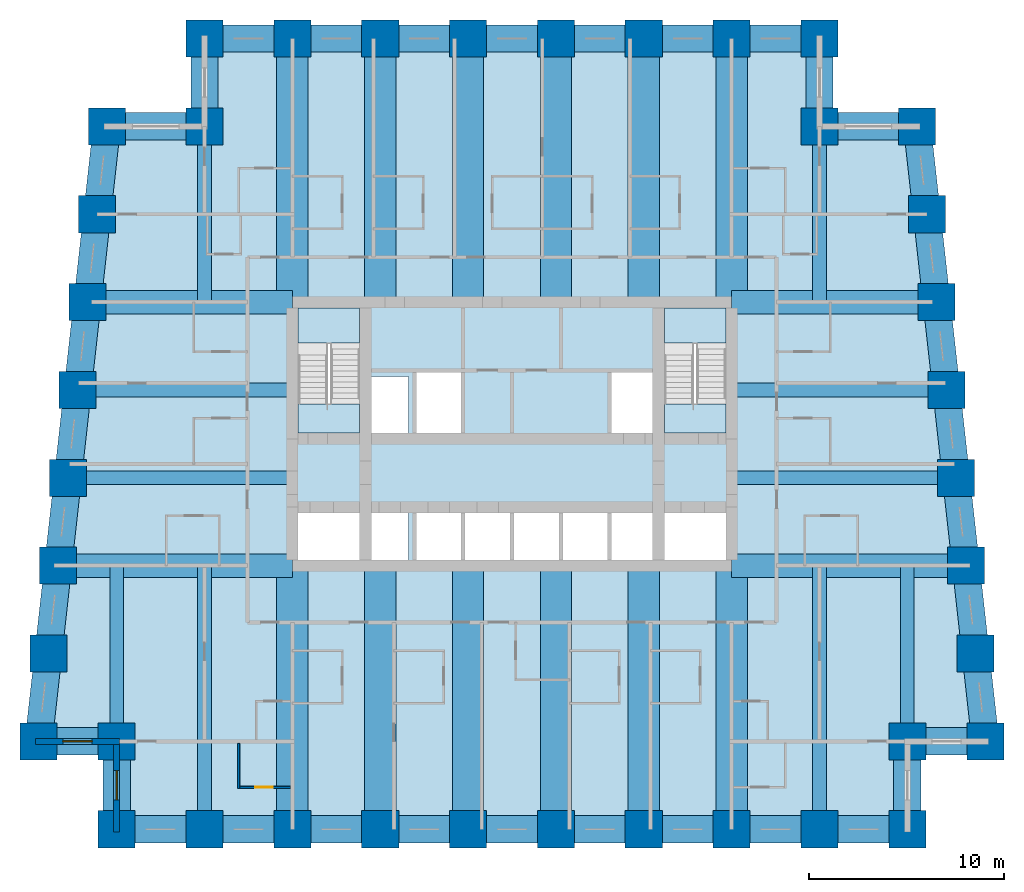
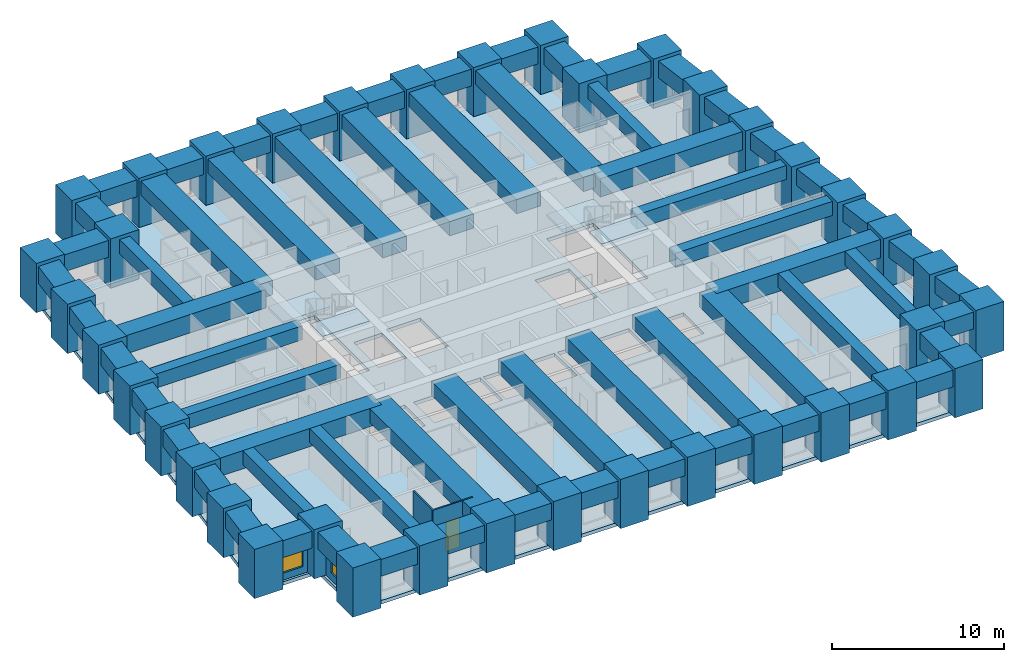
# One storey, part 1 of 8: 64 beams, 38 columns, 5 slabs, 4 walls, 2 windows, 1 door, 3 openings, 2 elements without a shape of their own.
"""IFC4 building model written with IfcOpenShell, lengths in metres."""

from ifc_helpers import new_model, si_unit, direction, frame, frame_2d, origin, origin_2d, place, context, subcontext, project, spatial, polyline, rectangle, outline, extrude, material, layer, layer_set, material_profile, profile_set, type_object, element, fill, aggregate, save


model = new_model("IFC4")

# Units and contexts
model_context = context("Model", 3, precision=1e-05, world=origin(), true_north=direction((0.0, 1.0)))
body_context = subcontext(model_context, "Body", "Model", "MODEL_VIEW")
ifc_project = project(units=[si_unit("LENGTHUNIT", "METRE"), si_unit("AREAUNIT", "SQUARE_METRE"), si_unit("VOLUMEUNIT", "CUBIC_METRE"), si_unit("PLANEANGLEUNIT", "RADIAN"), si_unit("MASSUNIT", "GRAM", prefix="KILO")], contexts=[model_context])

# Site, building, storey
site_placement = place(None, origin())
site = spatial("IfcSite", under=ifc_project, at=site_placement, CompositionType="ELEMENT")
building_placement = place(site_placement, origin())
building = spatial("IfcBuilding", under=site, at=building_placement, Name="Kilele Tower Hotel", CompositionType="ELEMENT")
storey_placement = place(building_placement, frame((0.0, 0.0, 40.199951171875)))
storey = spatial("IfcBuildingStorey", under=building, at=storey_placement, Name="L08", CompositionType="ELEMENT", Elevation=40.199951171875)

# Columns
ifc_material_1 = material(Name="Concrete C80/95", Category="concrete")
ifc_material_profile_1 = material_profile(ifc_material_1, rectangle(XDim=1.89990234375, YDim=1.89990234375, at=origin_2d()))
ifc_profile_set_1 = profile_set([ifc_material_profile_1], Name="Concrete C80/95")
column_type = type_object("IfcColumnType", Name="Tube column RC 1900x1900 C80/95", PredefinedType="COLUMN", material=ifc_profile_set_1)
for number, where, z_axis, x_axis, name in (
    (1, (0.5, 4.5, 0.0), (0.0, 0.0, 1.0), (1.0, 0.0, 0.0), "Column TC1 L08"),
    (2, (4.5, 4.5, 0.0), (0.0, 0.0, 1.0), (1.0, 0.0, 0.0), "Column TC1 L08"),
    (3, (4.5, 0.0, 0.0), (0.0, 0.0, 1.0), (1.0, 0.0, 0.0), "Column TC1 L08"),
    (4, (9.0, 0.0, 0.0), (0.0, 0.0, 1.0), (1.0, 0.0, 0.0), "Column TC1 L08"),
    (5, (13.5, 0.0, 0.0), (0.0, 0.0, 1.0), (1.0, 0.0, 0.0), "Column TC1 L08"),
    (6, (18.0, 0.0, 0.0), (0.0, 0.0, 1.0), (1.0, 0.0, 0.0), "Column TC1 L08"),
    (7, (22.5, 0.0, 0.0), (0.0, 0.0, 1.0), (1.0, 0.0, 0.0), "Column TC1 L08"),
    (8, (27.0, 0.0, 0.0), (0.0, 0.0, 1.0), (1.0, 0.0, 0.0), "Column TC1 L08"),
    (9, (31.5, 0.0, 0.0), (0.0, 0.0, 1.0), (1.0, 0.0, 0.0), "Column TC1 L08"),
    (10, (36.0, 0.0, 0.0), (0.0, 0.0, 1.0), (1.0, 0.0, 0.0), "Column TC1 L08"),
    (11, (40.5, 0.0, 0.0), (0.0, 0.0, 1.0), (1.0, 0.0, 0.0), "Column TC1 L08"),
    (12, (45.0, 0.0, 0.0), (0.0, 0.0, 1.0), (1.0, 0.0, 0.0), "Column TC1 L08"),
    (13, (45.0, 4.5, 0.0), (0.0, 0.0, 1.0), (1.0, 0.0, 0.0), "Column TC1 L08"),
    (14, (49.0, 4.5, 0.0), (0.0, 0.0, 1.0), (1.0, 0.0, 0.0), "Column TC1 L08"),
    (15, (48.5, 9.0, 0.0), (0.0, 0.0, 1.0), (1.0, 0.0, 0.0), "Column TC1 L08"),
    (16, (48.0, 13.5, 0.0), (0.0, 0.0, 1.0), (1.0, 0.0, 0.0), "Column TC1 L08"),
    (17, (47.5, 18.0, 0.0), (0.0, 0.0, 1.0), (1.0, 0.0, 0.0), "Column TC1 L08"),
    (18, (47.0, 22.5, 0.0), (0.0, 0.0, 1.0), (1.0, 0.0, 0.0), "Column TC1 L08"),
    (19, (46.5, 27.0, 0.0), (0.0, 0.0, 1.0), (1.0, 0.0, 0.0), "Column TC1 L08"),
    (20, (46.0, 31.5, 0.0), (0.0, 0.0, 1.0), (1.0, 0.0, 0.0), "Column TC1 L08"),
    (21, (45.5, 36.0, 0.0), (0.0, 0.0, 1.0), (1.0, 0.0, 0.0), "Column TC1 L08"),
    (22, (40.5, 36.0, 0.0), (0.0, 0.0, 1.0), (1.0, 0.0, 0.0), "Column TC1 L08"),
    (23, (40.5, 40.5, 0.0), (0.0, 0.0, 1.0), (1.0, 0.0, 0.0), "Column TC1 L08"),
    (24, (36.0, 40.5, 0.0), (0.0, 0.0, 1.0), (1.0, 0.0, 0.0), "Column TC1 L08"),
    (25, (31.5, 40.5, 0.0), (0.0, 0.0, 1.0), (1.0, 0.0, 0.0), "Column TC1 L08"),
    (26, (27.0, 40.5, 0.0), (0.0, 0.0, 1.0), (1.0, 0.0, 0.0), "Column TC1 L08"),
    (27, (22.5, 40.5, 0.0), (0.0, 0.0, 1.0), (1.0, 0.0, 0.0), "Column TC1 L08"),
    (28, (18.0, 40.5, 0.0), (0.0, 0.0, 1.0), (1.0, 0.0, 0.0), "Column TC1 L08"),
    (29, (13.5, 40.5, 0.0), (0.0, 0.0, 1.0), (1.0, 0.0, 0.0), "Column TC1 L08"),
    (30, (9.0, 40.5, 0.0), (0.0, 0.0, 1.0), (1.0, 0.0, 0.0), "Column TC1 L08"),
    (31, (9.0, 36.0, 0.0), (0.0, 0.0, 1.0), (1.0, 0.0, 0.0), "Column TC1 L08"),
    (32, (4.0, 36.0, 0.0), (0.0, 0.0, 1.0), (1.0, 0.0, 0.0), "Column TC1 L08"),
    (33, (3.5, 31.5, 0.0), (0.0, 0.0, 1.0), (1.0, 0.0, 0.0), "Column TC1 L08"),
    (34, (3.0, 27.0, 0.0), (0.0, 0.0, 1.0), (1.0, 0.0, 0.0), "Column TC1 L08"),
    (35, (2.5, 22.5, 0.0), (0.0, 0.0, 1.0), (1.0, 0.0, 0.0), "Column TC1 L08"),
    (36, (2.0, 18.0, 0.0), (0.0, 0.0, 1.0), (1.0, 0.0, 0.0), "Column TC1 L08"),
    (37, (1.5, 13.5, 0.0), (0.0, 0.0, 1.0), (1.0, 0.0, 0.0), "Column TC1 L08"),
    (38, (1.0, 9.0, 0.0), (0.0, 0.0, 1.0), (1.0, 0.0, 0.0), "Column TC1 L08"),
):
    element("IfcColumn", number, at=place(storey_placement, frame(where, z_axis=z_axis, x_axis=x_axis)), inside=storey, type_object=column_type, Name=name, PredefinedType="COLUMN", context=body_context, shape_type="SweptSolid", body=[
        extrude(rectangle(XDim=1.89990234375, YDim=1.89990234375, at=origin_2d()), origin(), (0.0, 0.0, 1.0), 3.5),
    ])

# Beams
ifc_material_2 = material(Name="Concrete C60/75", Category="concrete")
ifc_material_profile_2 = material_profile(ifc_material_2, rectangle(XDim=1.60009765625, YDim=1.0, at=origin_2d()))
ifc_profile_set_2 = profile_set([ifc_material_profile_2], Name="Concrete C60/75")
beam_type_1 = type_object("IfcBeamType", Name="Beam RC 1600x1000 C60/75", PredefinedType="BEAM", material=ifc_profile_set_2)
for number, where, z_axis, x_axis, name in (
    (39, (13.5, 0.0, 2.75), (0.0, 1.0, 0.0), (-1.0, 0.0, 0.0), "Beam BC1 level L09"),
    (40, (18.0, 0.0, 2.75), (0.0, 1.0, 0.0), (-1.0, 0.0, 0.0), "Beam BC1 level L09"),
    (41, (22.5, 0.0, 2.75), (0.0, 1.0, 0.0), (-1.0, 0.0, 0.0), "Beam BC1 level L09"),
    (42, (27.0, 0.0, 2.75), (0.0, 1.0, 0.0), (-1.0, 0.0, 0.0), "Beam BC1 level L09"),
    (43, (31.5, 0.0, 2.75), (0.0, 1.0, 0.0), (-1.0, 0.0, 0.0), "Beam BC1 level L09"),
    (44, (36.0, 0.0, 2.75), (0.0, 1.0, 0.0), (-1.0, 0.0, 0.0), "Beam BC1 level L09"),
    (45, (36.0, 40.5, 2.75), (0.0, -1.0, 0.0), (1.0, 0.0, 0.0), "Beam BC1 level L09"),
    (46, (31.5, 40.5, 2.75), (0.0, -1.0, 0.0), (1.0, 0.0, 0.0), "Beam BC1 level L09"),
    (47, (27.0, 40.5, 2.75), (0.0, -1.0, 0.0), (1.0, 0.0, 0.0), "Beam BC1 level L09"),
    (48, (22.5, 40.5, 2.75), (0.0, -1.0, 0.0), (1.0, 0.0, 0.0), "Beam BC1 level L09"),
    (49, (18.0, 40.5, 2.75), (0.0, -1.0, 0.0), (1.0, 0.0, 0.0), "Beam BC1 level L09"),
    (50, (13.5, 40.5, 2.75), (0.0, -1.0, 0.0), (1.0, 0.0, 0.0), "Beam BC1 level L09"),
):
    element("IfcBeam", number, at=place(storey_placement, frame(where, z_axis=z_axis, x_axis=x_axis)), inside=storey, type_object=beam_type_1, Name=name, PredefinedType="BEAM", context=body_context, shape_type="SweptSolid", body=[
        extrude(rectangle(XDim=1.60009765625, YDim=1.0, at=origin_2d()), origin(), (0.0, 0.0, 1.0), 13.5),
    ])
ifc_material_3 = material(Name="Concrete C60/75", Category="concrete")
ifc_material_profile_3 = material_profile(ifc_material_3, rectangle(XDim=0.699951171875, YDim=1.0, at=origin_2d()))
ifc_profile_set_3 = profile_set([ifc_material_profile_3], Name="Concrete C60/75")
beam_type_2 = type_object("IfcBeamType", Name="Beam RC 700x1000 C60/75", PredefinedType="BEAM", material=ifc_profile_set_3)
for number, where, z_axis, x_axis, name in (
    (51, (9.0, 0.0, 2.75), (0.0, 1.0, 0.0), (-1.0, 0.0, 0.0), "Beam B4 level L09"),
    (52, (40.5, 0.0, 2.75), (0.0, 1.0, 0.0), (-1.0, 0.0, 0.0), "Beam B4 level L09"),
):
    element("IfcBeam", number, at=place(storey_placement, frame(where, z_axis=z_axis, x_axis=x_axis)), inside=storey, type_object=beam_type_2, Name=name, PredefinedType="BEAM", context=body_context, shape_type="SweptSolid", body=[
        extrude(rectangle(XDim=0.699951171875, YDim=1.0, at=origin_2d()), origin(), (0.0, 0.0, 1.0), 13.5),
    ])
ifc_material_4 = material(Name="Concrete C60/75", Category="concrete")
ifc_material_profile_4 = material_profile(ifc_material_4, rectangle(XDim=0.699951171875, YDim=1.0, at=origin_2d()))
ifc_profile_set_4 = profile_set([ifc_material_profile_4], Name="Concrete C60/75")
beam_type_3 = type_object("IfcBeamType", Name="Beam RC 700x1000 C60/75 mid span", PredefinedType="BEAM", material=ifc_profile_set_4)
for number, where, z_axis, x_axis, name in (
    (53, (4.5, 4.5, 2.75), (0.0, 1.0, 0.0), (-1.0, 0.0, 0.0), "Beam B5 level L09"),
    (54, (45.0, 4.5, 2.75), (0.0, 1.0, 0.0), (-1.0, 0.0, 0.0), "Beam B5 level L09"),
):
    element("IfcBeam", number, at=place(storey_placement, frame(where, z_axis=z_axis, x_axis=x_axis)), inside=storey, type_object=beam_type_3, Name=name, PredefinedType="BEAM", context=body_context, shape_type="SweptSolid", body=[
        extrude(rectangle(XDim=0.699951171875, YDim=1.0, at=origin_2d()), origin(), (0.0, 0.0, 1.0), 9.0),
    ])
beam_1_placement = place(storey_placement, frame((47.5, 18.0, 2.75), z_axis=(-1.0, 0.0, 0.0), x_axis=(0.0, -1.0, 0.0)))
element("IfcBeam", 55, at=beam_1_placement, inside=storey, type_object=beam_type_3, Name="Beam B5 level L09", PredefinedType="BEAM", context=body_context, shape_type="SweptSolid", body=[
    extrude(rectangle(XDim=0.699951171875, YDim=1.0, at=origin_2d()), origin(), (0.0, 0.0, 1.0), 11.5),
])
beam_2_placement = place(storey_placement, frame((47.0, 22.5, 2.75), z_axis=(-1.0, 0.0, 0.0), x_axis=(0.0, -1.0, 0.0)))
element("IfcBeam", 56, at=beam_2_placement, inside=storey, type_object=beam_type_3, Name="Beam B5 level L09", PredefinedType="BEAM", context=body_context, shape_type="SweptSolid", body=[
    extrude(rectangle(XDim=0.699951171875, YDim=1.0, at=origin_2d()), origin(), (0.0, 0.0, 1.0), 11.0),
])
for number, where, z_axis, x_axis, name in (
    (57, (40.5, 36.0, 2.75), (0.0, -1.0, 0.0), (1.0, 0.0, 0.0), "Beam B5 level L09"),
    (58, (9.0, 36.0, 2.75), (0.0, -1.0, 0.0), (1.0, 0.0, 0.0), "Beam B5 level L09"),
):
    element("IfcBeam", number, at=place(storey_placement, frame(where, z_axis=z_axis, x_axis=x_axis)), inside=storey, type_object=beam_type_3, Name=name, PredefinedType="BEAM", context=body_context, shape_type="SweptSolid", body=[
        extrude(rectangle(XDim=0.699951171875, YDim=1.0, at=origin_2d()), origin(), (0.0, 0.0, 1.0), 9.0),
    ])
beam_3_placement = place(storey_placement, frame((2.5, 22.5, 2.75), z_axis=(1.0, 0.0, 0.0), x_axis=(0.0, 1.0, 0.0)))
element("IfcBeam", 59, at=beam_3_placement, inside=storey, type_object=beam_type_3, Name="Beam B5 level L09", PredefinedType="BEAM", context=body_context, shape_type="SweptSolid", body=[
    extrude(rectangle(XDim=0.699951171875, YDim=1.0, at=origin_2d()), origin(), (0.0, 0.0, 1.0), 11.0),
])
beam_4_placement = place(storey_placement, frame((2.0, 18.0, 2.75), z_axis=(1.0, 0.0, 0.0), x_axis=(0.0, 1.0, 0.0)))
element("IfcBeam", 60, at=beam_4_placement, inside=storey, type_object=beam_type_3, Name="Beam B5 level L09", PredefinedType="BEAM", context=body_context, shape_type="SweptSolid", body=[
    extrude(rectangle(XDim=0.699951171875, YDim=1.0, at=origin_2d()), origin(), (0.0, 0.0, 1.0), 11.5),
])
ifc_material_5 = material(Name="Concrete C60/75", Category="concrete")
ifc_material_profile_5 = material_profile(ifc_material_5, rectangle(XDim=1.199951171875, YDim=1.300048828125, at=origin_2d()))
ifc_profile_set_5 = profile_set([ifc_material_profile_5], Name="Concrete C60/75")
beam_type_4 = type_object("IfcBeamType", Name="Girder RC 1200x1300 C60/75", PredefinedType="BEAM", material=ifc_profile_set_5)
for number, where, z_axis, x_axis, name in (
    (61, (48.0, 13.5, 2.60009765625), (-1.0, 0.0, 0.0), (0.0, -1.0, 0.0), "Girder G1 level L09"),
    (62, (1.5, 13.5, 2.60009765625), (1.0, 0.0, 0.0), (0.0, 1.0, 0.0), "Girder G1 level L09"),
):
    element("IfcBeam", number, at=place(storey_placement, frame(where, z_axis=z_axis, x_axis=x_axis)), inside=storey, type_object=beam_type_4, Name=name, PredefinedType="BEAM", context=body_context, shape_type="SweptSolid", body=[
        extrude(rectangle(XDim=1.199951171875, YDim=1.300048828125, at=origin_2d()), origin(), (0.0, 0.0, 1.0), 12.0),
    ])
ifc_material_6 = material(Name="Concrete C60/75", Category="concrete")
ifc_material_profile_6 = material_profile(ifc_material_6, rectangle(XDim=1.199951171875, YDim=1.300048828125, at=origin_2d()))
ifc_profile_set_6 = profile_set([ifc_material_profile_6], Name="Concrete C60/75")
beam_type_5 = type_object("IfcBeamType", Name="Girder RC 1200x1300 C60/75 mid span", PredefinedType="BEAM", material=ifc_profile_set_6)
for number, where, z_axis, x_axis, name in (
    (63, (46.5, 27.0, 2.60009765625), (-1.0, 0.0, 0.0), (0.0, -1.0, 0.0), "Girder G3 level L09"),
    (64, (3.0, 27.0, 2.60009765625), (1.0, 0.0, 0.0), (0.0, 1.0, 0.0), "Girder G3 level L09"),
):
    element("IfcBeam", number, at=place(storey_placement, frame(where, z_axis=z_axis, x_axis=x_axis)), inside=storey, type_object=beam_type_5, Name=name, PredefinedType="BEAM", context=body_context, shape_type="SweptSolid", body=[
        extrude(rectangle(XDim=1.199951171875, YDim=1.300048828125, at=origin_2d()), origin(), (0.0, 0.0, 1.0), 10.5),
    ])
ifc_material_7 = material(Name="Concrete C60/75", Category="concrete")
ifc_material_profile_7 = material_profile(ifc_material_7, rectangle(XDim=1.39990234375, YDim=1.199951171875, at=origin_2d()))
ifc_profile_set_7 = profile_set([ifc_material_profile_7], Name="Concrete C60/75")
beam_type_6 = type_object("IfcBeamType", Name="Spandrel RC 1400x1200 C60/75", PredefinedType="SPANDREL", material=ifc_profile_set_7)
beam_5_placement = place(storey_placement, frame((0.5, 4.5, 2.650146484375), z_axis=(1.0, 0.0, 0.0), x_axis=(0.0, 1.0, 0.0)))
element("IfcBeam", 65, at=beam_5_placement, inside=storey, type_object=beam_type_6, Name="Spandrel SP10 level L09", PredefinedType="SPANDREL", context=body_context, shape_type="SweptSolid", body=[
    extrude(rectangle(XDim=1.39990234375, YDim=1.199951171875, at=origin_2d()), origin(), (0.0, 0.0, 1.0), 4.0),
])
for number, where, z_axis, x_axis, name in (
    (66, (4.5, 4.5, 2.650146484375), (0.0, -1.0, 0.0), (1.0, 0.0, 0.0), "Spandrel SP10 level L09"),
    (67, (4.5, 0.0, 2.650146484375), (1.0, 0.0, 0.0), (0.0, 1.0, 0.0), "Spandrel SP10 level L09"),
    (68, (9.0, 0.0, 2.650146484375), (1.0, 0.0, 0.0), (0.0, 1.0, 0.0), "Spandrel SP10 level L09"),
    (69, (13.5, 0.0, 2.650146484375), (1.0, 0.0, 0.0), (0.0, 1.0, 0.0), "Spandrel SP10 level L09"),
    (70, (18.0, 0.0, 2.650146484375), (1.0, 0.0, 0.0), (0.0, 1.0, 0.0), "Spandrel SP10 level L09"),
    (71, (22.5, 0.0, 2.650146484375), (1.0, 0.0, 0.0), (0.0, 1.0, 0.0), "Spandrel SP10 level L09"),
    (72, (27.0, 0.0, 2.650146484375), (1.0, 0.0, 0.0), (0.0, 1.0, 0.0), "Spandrel SP10 level L09"),
    (73, (31.5, 0.0, 2.650146484375), (1.0, 0.0, 0.0), (0.0, 1.0, 0.0), "Spandrel SP10 level L09"),
    (74, (36.0, 0.0, 2.650146484375), (1.0, 0.0, 0.0), (0.0, 1.0, 0.0), "Spandrel SP10 level L09"),
    (75, (40.5, 0.0, 2.650146484375), (1.0, 0.0, 0.0), (0.0, 1.0, 0.0), "Spandrel SP10 level L09"),
    (76, (45.0, 0.0, 2.650146484375), (0.0, 1.0, 0.0), (-1.0, 0.0, 0.0), "Spandrel SP10 level L09"),
):
    element("IfcBeam", number, at=place(storey_placement, frame(where, z_axis=z_axis, x_axis=x_axis)), inside=storey, type_object=beam_type_6, Name=name, PredefinedType="SPANDREL", context=body_context, shape_type="SweptSolid", body=[
        extrude(rectangle(XDim=1.39990234375, YDim=1.199951171875, at=origin_2d()), origin(), (0.0, 0.0, 1.0), 4.5),
    ])
beam_6_placement = place(storey_placement, frame((45.0, 4.5, 2.650146484375), z_axis=(1.0, 0.0, 0.0), x_axis=(0.0, 1.0, 0.0)))
element("IfcBeam", 77, at=beam_6_placement, inside=storey, type_object=beam_type_6, Name="Spandrel SP10 level L09", PredefinedType="SPANDREL", context=body_context, shape_type="SweptSolid", body=[
    extrude(rectangle(XDim=1.39990234375, YDim=1.199951171875, at=origin_2d()), origin(), (0.0, 0.0, 1.0), 4.0),
])
for number, where, z_axis, x_axis, name in (
    (78, (49.0, 4.5, 2.650146484375), (-0.110431526075, 0.993883734674, 0.0), (-0.993883734674, -0.110431526075, 0.0), "Spandrel SP10 level L09"),
    (79, (48.5, 9.0, 2.650146484375), (-0.110431526075, 0.993883734674, 0.0), (-0.993883734674, -0.110431526075, 0.0), "Spandrel SP10 level L09"),
    (80, (48.0, 13.5, 2.650146484375), (-0.110431526075, 0.993883734674, 0.0), (-0.993883734674, -0.110431526075, 0.0), "Spandrel SP10 level L09"),
    (81, (47.5, 18.0, 2.650146484375), (-0.110431526075, 0.993883734674, 0.0), (-0.993883734674, -0.110431526075, 0.0), "Spandrel SP10 level L09"),
    (82, (47.0, 22.5, 2.650146484375), (-0.110431526075, 0.993883734674, 0.0), (-0.993883734674, -0.110431526075, 0.0), "Spandrel SP10 level L09"),
    (83, (46.5, 27.0, 2.650146484375), (-0.110431526075, 0.993883734674, 0.0), (-0.993883734674, -0.110431526075, 0.0), "Spandrel SP10 level L09"),
    (84, (46.0, 31.5, 2.650146484375), (-0.110431526075, 0.993883734674, 0.0), (-0.993883734674, -0.110431526075, 0.0), "Spandrel SP10 level L09"),
):
    element("IfcBeam", number, at=place(storey_placement, frame(where, z_axis=z_axis, x_axis=x_axis)), inside=storey, type_object=beam_type_6, Name=name, PredefinedType="SPANDREL", context=body_context, shape_type="SweptSolid", body=[
        extrude(rectangle(XDim=1.39990234375, YDim=1.199951171875, at=origin_2d()), origin(), (0.0, 0.0, 1.0), 4.527587890625),
    ])
beam_7_placement = place(storey_placement, frame((45.5, 36.0, 2.650146484375), z_axis=(-1.0, 0.0, 0.0), x_axis=(0.0, -1.0, 0.0)))
element("IfcBeam", 85, at=beam_7_placement, inside=storey, type_object=beam_type_6, Name="Spandrel SP10 level L09", PredefinedType="SPANDREL", context=body_context, shape_type="SweptSolid", body=[
    extrude(rectangle(XDim=1.39990234375, YDim=1.199951171875, at=origin_2d()), origin(), (0.0, 0.0, 1.0), 5.0),
])
for number, where, z_axis, x_axis, name in (
    (86, (40.5, 36.0, 2.650146484375), (0.0, 1.0, 0.0), (-1.0, 0.0, 0.0), "Spandrel SP10 level L09"),
    (87, (40.5, 40.5, 2.650146484375), (-1.0, 0.0, 0.0), (0.0, -1.0, 0.0), "Spandrel SP10 level L09"),
    (88, (36.0, 40.5, 2.650146484375), (-1.0, 0.0, 0.0), (0.0, -1.0, 0.0), "Spandrel SP10 level L09"),
    (89, (31.5, 40.5, 2.650146484375), (-1.0, 0.0, 0.0), (0.0, -1.0, 0.0), "Spandrel SP10 level L09"),
    (90, (27.0, 40.5, 2.650146484375), (-1.0, 0.0, 0.0), (0.0, -1.0, 0.0), "Spandrel SP10 level L09"),
    (91, (22.5, 40.5, 2.650146484375), (-1.0, 0.0, 0.0), (0.0, -1.0, 0.0), "Spandrel SP10 level L09"),
    (92, (18.0, 40.5, 2.650146484375), (-1.0, 0.0, 0.0), (0.0, -1.0, 0.0), "Spandrel SP10 level L09"),
    (93, (13.5, 40.5, 2.650146484375), (-1.0, 0.0, 0.0), (0.0, -1.0, 0.0), "Spandrel SP10 level L09"),
    (94, (9.0, 40.5, 2.650146484375), (0.0, -1.0, 0.0), (1.0, 0.0, 0.0), "Spandrel SP10 level L09"),
):
    element("IfcBeam", number, at=place(storey_placement, frame(where, z_axis=z_axis, x_axis=x_axis)), inside=storey, type_object=beam_type_6, Name=name, PredefinedType="SPANDREL", context=body_context, shape_type="SweptSolid", body=[
        extrude(rectangle(XDim=1.39990234375, YDim=1.199951171875, at=origin_2d()), origin(), (0.0, 0.0, 1.0), 4.5),
    ])
beam_8_placement = place(storey_placement, frame((9.0, 36.0, 2.650146484375), z_axis=(-1.0, 0.0, 0.0), x_axis=(0.0, -1.0, 0.0)))
element("IfcBeam", 95, at=beam_8_placement, inside=storey, type_object=beam_type_6, Name="Spandrel SP10 level L09", PredefinedType="SPANDREL", context=body_context, shape_type="SweptSolid", body=[
    extrude(rectangle(XDim=1.39990234375, YDim=1.199951171875, at=origin_2d()), origin(), (0.0, 0.0, 1.0), 5.0),
])
for number, where, z_axis, x_axis, name in (
    (96, (4.0, 36.0, 2.650146484375), (-0.110431526075, -0.993883734674, 0.0), (0.993883734674, -0.110431526075, 0.0), "Spandrel SP10 level L09"),
    (97, (3.5, 31.5, 2.650146484375), (-0.110431526075, -0.993883734674, 0.0), (0.993883734674, -0.110431526075, 0.0), "Spandrel SP10 level L09"),
    (98, (3.0, 27.0, 2.650146484375), (-0.110431526075, -0.993883734674, 0.0), (0.993883734674, -0.110431526075, 0.0), "Spandrel SP10 level L09"),
    (99, (2.5, 22.5, 2.650146484375), (-0.110431526075, -0.993883734674, 0.0), (0.993883734674, -0.110431526075, 0.0), "Spandrel SP10 level L09"),
    (100, (2.0, 18.0, 2.650146484375), (-0.110431526075, -0.993883734674, 0.0), (0.993883734674, -0.110431526075, 0.0), "Spandrel SP10 level L09"),
    (101, (1.5, 13.5, 2.650146484375), (-0.110431526075, -0.993883734674, 0.0), (0.993883734674, -0.110431526075, 0.0), "Spandrel SP10 level L09"),
    (102, (1.0, 9.0, 2.650146484375), (-0.110431526075, -0.993883734674, 0.0), (0.993883734674, -0.110431526075, 0.0), "Spandrel SP10 level L09"),
):
    element("IfcBeam", number, at=place(storey_placement, frame(where, z_axis=z_axis, x_axis=x_axis)), inside=storey, type_object=beam_type_6, Name=name, PredefinedType="SPANDREL", context=body_context, shape_type="SweptSolid", body=[
        extrude(rectangle(XDim=1.39990234375, YDim=1.199951171875, at=origin_2d()), origin(), (0.0, 0.0, 1.0), 4.527587890625),
    ])

# Slab
ifc_material_8 = material(Name="Concrete C60/75", Category="concrete")
ifc_layer_1 = layer(ifc_material_8, 0.25)
ifc_layer_set_1 = layer_set([ifc_layer_1], Name="Concrete C60/75")
slab_type_1 = type_object("IfcSlabType", Name="Floor slab 250", PredefinedType="FLOOR", material=ifc_layer_set_1)
slab_1_placement = place(storey_placement, frame((0.0, 0.0, -0.25)))
element("IfcSlab", 103, at=slab_1_placement, inside=storey, type_object=slab_type_1, Name="Floor slab L08", PredefinedType="FLOOR", context=body_context, shape_type="SweptSolid", body=[
    extrude(outline(polyline([(8.699951171875, 36.300048828125), (8.699951171875, 40.800048828125), (40.800048828125, 40.800048828125), (40.800048828125, 36.300048828125), (45.7685546875, 36.300048828125), (49.335205078125, 4.199951171875), (45.300048828125, 4.199951171875), (45.300048828125, -0.300048828125), (4.199951171875, -0.300048828125), (4.199951171875, 4.199951171875), (0.164794921875, 4.199951171875), (3.7314453125, 36.300048828125), (8.699951171875, 36.300048828125)]), holes=[polyline([(16.949951171875, 16.199951171875), (13.800048828125, 16.199951171875), (13.800048828125, 13.800048828125), (16.949951171875, 13.800048828125), (16.949951171875, 16.199951171875)]), polyline([(19.449951171875, 13.800048828125), (19.449951171875, 16.199951171875), (17.550048828125, 16.199951171875), (17.550048828125, 13.800048828125), (19.449951171875, 13.800048828125)]), polyline([(22.14990234375, 13.800048828125), (22.14990234375, 16.39990234375), (19.85009765625, 16.39990234375), (19.85009765625, 13.800048828125), (22.14990234375, 13.800048828125)]), polyline([(24.64990234375, 16.39990234375), (22.35009765625, 16.39990234375), (22.35009765625, 13.800048828125), (24.64990234375, 13.800048828125), (24.64990234375, 16.39990234375)]), polyline([(19.449951171875, 20.300048828125), (19.449951171875, 23.199951171875), (17.550048828125, 23.199951171875), (17.550048828125, 20.300048828125), (19.449951171875, 20.300048828125)]), polyline([(22.14990234375, 20.10009765625), (22.14990234375, 23.39990234375), (19.85009765625, 23.39990234375), (19.85009765625, 20.10009765625), (22.14990234375, 20.10009765625)]), polyline([(16.949951171875, 26.699951171875), (13.800048828125, 26.699951171875), (13.800048828125, 20.300048828125), (16.949951171875, 20.300048828125), (16.949951171875, 26.699951171875)]), polyline([(35.699951171875, 13.800048828125), (35.699951171875, 16.199951171875), (32.550048828125, 16.199951171875), (32.550048828125, 13.800048828125), (35.699951171875, 13.800048828125)]), polyline([(27.14990234375, 13.800048828125), (27.14990234375, 16.39990234375), (24.85009765625, 16.39990234375), (24.85009765625, 13.800048828125), (27.14990234375, 13.800048828125)]), polyline([(29.64990234375, 13.800048828125), (29.64990234375, 16.39990234375), (27.35009765625, 16.39990234375), (27.35009765625, 13.800048828125), (29.64990234375, 13.800048828125)]), polyline([(32.14990234375, 13.800048828125), (32.14990234375, 16.39990234375), (29.85009765625, 16.39990234375), (29.85009765625, 13.800048828125), (32.14990234375, 13.800048828125)]), polyline([(32.14990234375, 20.10009765625), (32.14990234375, 23.39990234375), (29.85009765625, 23.39990234375), (29.85009765625, 20.10009765625), (32.14990234375, 20.10009765625)]), polyline([(35.699951171875, 20.300048828125), (35.699951171875, 26.699951171875), (32.550048828125, 26.699951171875), (32.550048828125, 20.300048828125), (35.699951171875, 20.300048828125)])]), origin(), (0.0, 0.0, 1.0), 0.25),
])

# Stair, slabs
ifc_material_9 = material(Name="Precast concrete C40/50", Category="concrete")
stair_type = type_object("IfcStairType", Name="Stair 1475 x 3500", PredefinedType="HALF_TURN_STAIR", material=ifc_material_9)
stair_1_placement = place(storey_placement, origin())
stair_1 = element("IfcStair", 104, at=stair_1_placement, inside=storey, type_object=stair_type, Name="Stair 1 L08", PredefinedType="HALF_TURN_STAIR")
ifc_material_10 = material(Name="Precast concrete C40/50", Category="concrete")
ifc_layer_2 = layer(ifc_material_10, 0.199951171875)
ifc_layer_set_2 = layer_set([ifc_layer_2], Name="Precast concrete C40/50")
slab_type_2 = type_object("IfcSlabType", Name="Stair landing 200", PredefinedType="LANDING", material=ifc_layer_set_2)
slab_2_placement = place(storey_placement, frame((0.0, 0.0, 1.550048828125)))
slab_2 = element("IfcSlab", 105, at=slab_2_placement, type_object=slab_type_2, Name="ST1 landing 1", PredefinedType="LANDING", context=body_context, shape_type="SweptSolid", body=[
    extrude(outline(polyline([(13.800048828125, 24.89501953125), (16.949951171875, 24.89501953125), (16.949951171875, 26.699951171875), (13.800048828125, 26.699951171875), (13.800048828125, 24.89501953125)])), origin(), (0.0, 0.0, 1.0), 0.199951171875),
])
slab_3_placement = place(storey_placement, frame((0.0, 0.0, 3.300048828125)))
slab_3 = element("IfcSlab", 106, at=slab_3_placement, type_object=slab_type_2, Name="ST1 landing 2", PredefinedType="LANDING", context=body_context, shape_type="SweptSolid", body=[
    extrude(outline(polyline([(13.800048828125, 20.300048828125), (16.949951171875, 20.300048828125), (16.949951171875, 21.77490234375), (13.800048828125, 21.77490234375), (13.800048828125, 20.300048828125)])), origin(), (0.0, 0.0, 1.0), 0.199951171875),
])
aggregate(stair_1, [slab_2, slab_3])

stair_2_placement = place(storey_placement, origin())
stair_2 = element("IfcStair", 107, at=stair_2_placement, inside=storey, type_object=stair_type, Name="Stair 2 L08", PredefinedType="HALF_TURN_STAIR")
slab_4_placement = place(storey_placement, frame((0.0, 0.0, 1.550048828125)))
slab_4 = element("IfcSlab", 108, at=slab_4_placement, type_object=slab_type_2, Name="ST2 landing 1", PredefinedType="LANDING", context=body_context, shape_type="SweptSolid", body=[
    extrude(outline(polyline([(32.550048828125, 24.89501953125), (35.699951171875, 24.89501953125), (35.699951171875, 26.699951171875), (32.550048828125, 26.699951171875), (32.550048828125, 24.89501953125)])), origin(), (0.0, 0.0, 1.0), 0.199951171875),
])
slab_5_placement = place(storey_placement, frame((0.0, 0.0, 3.300048828125)))
slab_5 = element("IfcSlab", 109, at=slab_5_placement, type_object=slab_type_2, Name="ST2 landing 2", PredefinedType="LANDING", context=body_context, shape_type="SweptSolid", body=[
    extrude(outline(polyline([(32.550048828125, 20.300048828125), (35.699951171875, 20.300048828125), (35.699951171875, 21.77490234375), (32.550048828125, 21.77490234375), (32.550048828125, 20.300048828125)])), origin(), (0.0, 0.0, 1.0), 0.199951171875),
])
aggregate(stair_2, [slab_4, slab_5])

# Wall
ifc_material_11 = material(Name="Moisture-resistant board")
ifc_layer_3 = layer(ifc_material_11, 0.10009765625)
ifc_layer_set_3 = layer_set([ifc_layer_3], Name="Moisture-resistant board")
wall_type_1 = type_object("IfcWallType", Name="Bathroom partition 100", PredefinedType="PLUMBINGWALL", material=ifc_layer_set_3)
wall_1_placement = place(storey_placement, frame((10.75, 4.39990234375, 0.0), z_axis=(0.0, 0.0, 1.0), x_axis=(0.0, -1.0, 0.0)))
element("IfcWall", 110, at=wall_1_placement, inside=storey, type_object=wall_type_1, Name="Bathroom partition 100 L08", PredefinedType="PLUMBINGWALL", context=body_context, shape_type="SweptSolid", body=[
    extrude(rectangle(XDim=2.2998046875, YDim=0.10009765625, at=frame_2d((1.14990234375, 0.0))), origin(), (0.0, 0.0, 1.0), 3.25),
])

# Wall, opening, door
wall_2_placement = place(storey_placement, frame((13.39990234375, 2.14990234375, 0.0), z_axis=(0.0, 0.0, 1.0), x_axis=(-1.0, 0.0, 0.0)))
wall_2 = element("IfcWall", 111, at=wall_2_placement, inside=storey, type_object=wall_type_1, Name="Bathroom partition 100 L08", PredefinedType="PLUMBINGWALL", context=body_context, shape_type="SweptSolid", body=[
    extrude(rectangle(XDim=2.699951171875, YDim=0.10009765625, at=frame_2d((1.35009765625, 0.0))), origin(), (0.0, 0.0, 1.0), 3.25),
])
opening_1_placement = place(wall_2_placement, frame((0.89990234375, 0.0, 0.0)))
opening_1 = element("IfcOpeningElement", 112, at=opening_1_placement, cuts=wall_2, Name="Opening D2A", PredefinedType="OPENING", context=body_context, shape_type="SweptSolid", body=[
    extrude(rectangle(XDim=0.89990234375, YDim=2.10009765625, at=frame_2d((0.449951171875, 1.050048828125))), frame((0.0, 0.06005859375, 0.0), z_axis=(0.0, -1.0, 0.0), x_axis=(1.0, 0.0, 0.0)), (0.0, 0.0, 1.0), 0.1201171875),
])
ifc_material_12 = material(Name="Timber door leaf in hardwood frame", Category="wood")
door_type = type_object("IfcDoorType", Name="Bathroom door 900", OperationType="SINGLE_SWING_LEFT", PredefinedType="DOOR", material=ifc_material_12)
door_placement = place(opening_1_placement, origin())
door = element("IfcDoor", 113, at=door_placement, inside=storey, type_object=door_type, Name="Bathroom door 0819B", OperationType="SINGLE_SWING_LEFT", OverallHeight=2.10009765625, OverallWidth=0.89990234375, PredefinedType="DOOR", context=body_context, shape_type="SweptSolid", body=[
    extrude(rectangle(XDim=0.89990234375, YDim=2.10009765625, at=frame_2d((0.449951171875, 1.050048828125))), frame((0.0, 0.02490234375, 0.0), z_axis=(0.0, -1.0, 0.0), x_axis=(1.0, 0.0, 0.0)), (0.0, 0.0, 1.0), 0.050048828125),
])
fill(opening_1, door)

# Wall, opening, window
ifc_material_13 = material(Name="Concrete C40/50 precast", Category="concrete")
ifc_layer_4 = layer(ifc_material_13, 0.260009765625, Name="Precast backing", Category="LoadBearing")
ifc_material_14 = material(Name="Reconstituted stone finish", Category="masonry")
ifc_layer_5 = layer(ifc_material_14, 0.0400390625, Name="Face mix", Category="Finish")
ifc_layer_set_4 = layer_set([ifc_layer_4, ifc_layer_5], Name="Precast concrete C40/50, reconstituted stone finish")
wall_type_2 = type_object("IfcWallType", Name="Precast stone facade wall 300", PredefinedType="STANDARD", material=ifc_layer_set_4)
wall_3_placement = place(storey_placement, frame((0.35009765625, 4.5, 0.0), z_axis=(0.0, 0.0, 1.0), x_axis=(1.0, 0.0, 0.0)))
wall_3 = element("IfcWall", 114, at=wall_3_placement, inside=storey, type_object=wall_type_2, Name="Facade wall L08 edge 1", PredefinedType="STANDARD", context=body_context, shape_type="SweptSolid", body=[
    extrude(rectangle(XDim=4.2998046875, YDim=0.300048828125, at=frame_2d((2.14990234375, 0.0))), origin(), (0.0, 0.0, 1.0), 2.050048828125),
])
opening_2_placement = place(wall_3_placement, frame((1.39990234375, 0.0, 0.5)))
opening_2 = element("IfcOpeningElement", 115, at=opening_2_placement, cuts=wall_3, Name="Opening W1", PredefinedType="OPENING", context=body_context, shape_type="SweptSolid", body=[
    extrude(rectangle(XDim=1.5, YDim=1.39990234375, at=frame_2d((0.75, 0.699951171875))), frame((0.0, 0.159912109375, 0.0), z_axis=(0.0, -1.0, 0.0), x_axis=(1.0, 0.0, 0.0)), (0.0, 0.0, 1.0), 0.320068359375),
])
ifc_material_15 = material(Name="Aluminium frame, clear double glazing", Category="aluminium")
window_type = type_object("IfcWindowType", Name="Window W1 1500 x 1400", PartitioningType="SINGLE_PANEL", PredefinedType="WINDOW", material=ifc_material_15)
window_1_placement = place(opening_2_placement, origin())
window_1 = element("IfcWindow", 116, at=window_1_placement, inside=storey, type_object=window_type, Name="Window L08", OverallHeight=1.39990234375, OverallWidth=1.5, PartitioningType="SINGLE_PANEL", PredefinedType="WINDOW", context=body_context, shape_type="SweptSolid", body=[
    extrude(rectangle(XDim=1.5, YDim=1.39990234375, at=frame_2d((0.75, 0.699951171875))), frame((0.0, 0.030029296875, 0.0), z_axis=(0.0, -1.0, 0.0), x_axis=(1.0, 0.0, 0.0)), (0.0, 0.0, 1.0), 0.06005859375),
])
fill(opening_2, window_1)

wall_4_placement = place(storey_placement, frame((4.5, 4.64990234375, 0.0), z_axis=(0.0, 0.0, 1.0), x_axis=(0.0, -1.0, 0.0)))
wall_4 = element("IfcWall", 117, at=wall_4_placement, inside=storey, type_object=wall_type_2, Name="Facade wall L08 edge 2", PredefinedType="STANDARD", context=body_context, shape_type="SweptSolid", body=[
    extrude(rectangle(XDim=4.7998046875, YDim=0.300048828125, at=frame_2d((2.39990234375, 0.0))), origin(), (0.0, 0.0, 1.0), 2.050048828125),
])
opening_3_placement = place(wall_4_placement, frame((1.64990234375, 0.0, 0.5)))
opening_3 = element("IfcOpeningElement", 118, at=opening_3_placement, cuts=wall_4, Name="Opening W1", PredefinedType="OPENING", context=body_context, shape_type="SweptSolid", body=[
    extrude(rectangle(XDim=1.5, YDim=1.39990234375, at=frame_2d((0.75, 0.699951171875))), frame((0.0, 0.159912109375, 0.0), z_axis=(0.0, -1.0, 0.0), x_axis=(1.0, 0.0, 0.0)), (0.0, 0.0, 1.0), 0.320068359375),
])
window_2_placement = place(opening_3_placement, origin())
window_2 = element("IfcWindow", 119, at=window_2_placement, inside=storey, type_object=window_type, Name="Window L08", OverallHeight=1.39990234375, OverallWidth=1.5, PartitioningType="SINGLE_PANEL", PredefinedType="WINDOW", context=body_context, shape_type="SweptSolid", body=[
    extrude(rectangle(XDim=1.5, YDim=1.39990234375, at=frame_2d((0.75, 0.699951171875))), frame((0.0, 0.030029296875, 0.0), z_axis=(0.0, -1.0, 0.0), x_axis=(1.0, 0.0, 0.0)), (0.0, 0.0, 1.0), 0.06005859375),
])
fill(opening_3, window_2)

save(model, "model.ifc")
